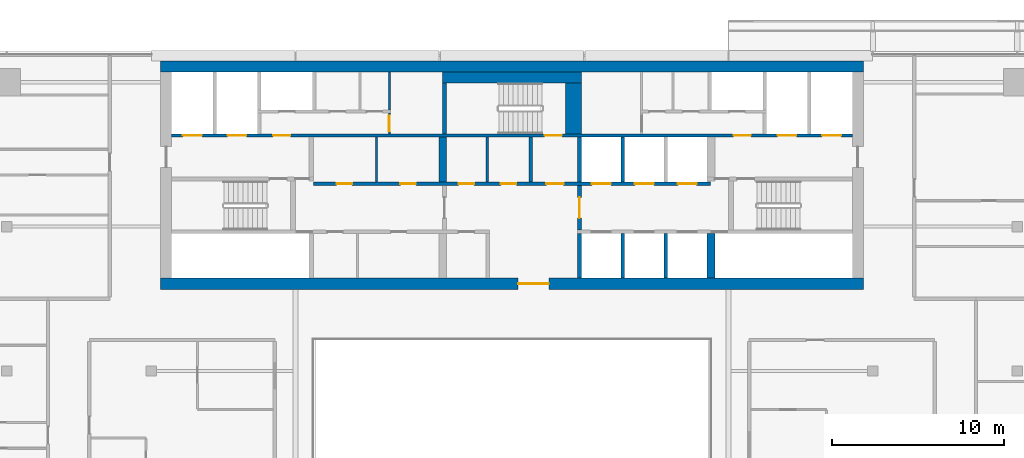
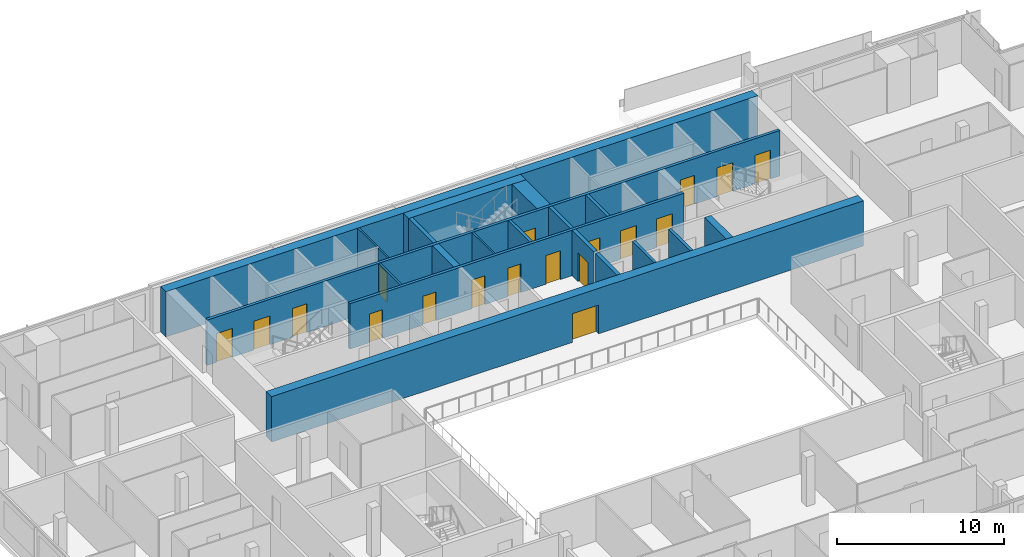
# One storey, part 21 of 29: 20 walls, 18 doors, 18 openings.
"""IFC4 building model written with IfcOpenShell, lengths in metres."""

from ifc_helpers import new_model, si_unit, direction, frame, frame_2d, origin, place, context, subcontext, project, spatial, rectangle, extrude, material, layer, layer_set, type_object, element, fill, save


model = new_model("IFC4")

# Units and contexts
model_context = context("Model", 3, precision=1e-05, world=origin(), true_north=direction((0.0, 1.0)))
body_context = subcontext(model_context, "Body", "Model", "MODEL_VIEW")
ifc_project = project(units=[si_unit("LENGTHUNIT", "METRE"), si_unit("AREAUNIT", "SQUARE_METRE"), si_unit("VOLUMEUNIT", "CUBIC_METRE"), si_unit("PLANEANGLEUNIT", "RADIAN"), si_unit("MASSUNIT", "GRAM", prefix="KILO")], contexts=[model_context])

# Site, building, storey
site_placement = place(None, origin())
site = spatial("IfcSite", under=ifc_project, at=site_placement, CompositionType="ELEMENT")
building_placement = place(site_placement, origin())
building = spatial("IfcBuilding", under=site, at=building_placement, Name="Saffron Gate Tower", CompositionType="ELEMENT")
storey_placement = place(building_placement, frame((0.0, 0.0, 227.10009765625)))
storey = spatial("IfcBuildingStorey", under=building, at=storey_placement, Name="L55", CompositionType="ELEMENT", Elevation=227.10009765625)

# Walls
ifc_material_1 = material(Name="Gypsum board partition on steel studs", Category="steel")
ifc_layer_1 = layer(ifc_material_1, 0.199951171875)
ifc_layer_set_1 = layer_set([ifc_layer_1], Name="CW10 Core partition 200")
wall_type_1 = type_object("IfcWallType", Name="CW10 Core partition 200", PredefinedType="PARTITIONING", material=ifc_layer_set_1)
wall_1_placement = place(storey_placement, frame((88.699951171875, 68.0, 0.0), z_axis=(0.0, 0.0, 1.0), x_axis=(0.0, 1.0, 0.0)))
element("IfcWall", 1, at=wall_1_placement, inside=storey, type_object=wall_type_1, Name="Wall CW10-L55-23", PredefinedType="PARTITIONING", context=body_context, shape_type="SweptSolid", body=[
    extrude(rectangle(XDim=2.60009765625, YDim=0.199951171875, at=frame_2d((1.300048828125, 0.0))), origin(), (0.0, 0.0, 1.0), 3.31982421875),
])
ifc_material_2 = material(Name="Concrete C60", Category="concrete")
ifc_layer_2 = layer(ifc_material_2, 0.25)
ifc_layer_set_2 = layer_set([ifc_layer_2], Name="CW14 RC core wall 250 C60")
wall_type_2 = type_object("IfcWallType", Name="CW14 RC core wall 250 C60", PredefinedType="SOLIDWALL", material=ifc_layer_set_2)
wall_2_placement = place(storey_placement, frame((91.52490234375, 62.39990234375, 0.0), z_axis=(0.0, 0.0, 1.0), x_axis=(0.0, 1.0, 0.0)))
element("IfcWall", 2, at=wall_2_placement, inside=storey, type_object=wall_type_2, Name="Wall CW14-L55-9", PredefinedType="SOLIDWALL", context=body_context, shape_type="SweptSolid", body=[
    extrude(rectangle(XDim=2.60009765625, YDim=0.25, at=frame_2d((1.300048828125, 0.0))), origin(), (0.0, 0.0, 1.0), 3.31982421875),
])

# Wall, opening, door
wall_3_placement = place(storey_placement, frame((91.52490234375, 65.199951171875, 0.0), z_axis=(0.0, 0.0, 1.0), x_axis=(0.0, 1.0, 0.0)))
wall_3 = element("IfcWall", 3, at=wall_3_placement, inside=storey, type_object=wall_type_2, Name="Wall CW14-L55-17", PredefinedType="SOLIDWALL", context=body_context, shape_type="SweptSolid", body=[
    extrude(rectangle(XDim=2.60009765625, YDim=0.25, at=frame_2d((1.300048828125, 0.0))), origin(), (0.0, 0.0, 1.0), 3.31982421875),
])
opening_1_placement = place(wall_3_placement, frame((0.699951171875, 0.0, 0.0)))
opening_1 = element("IfcOpeningElement", 4, at=opening_1_placement, cuts=wall_3, Name="Opening CR-01", PredefinedType="OPENING", context=body_context, shape_type="SweptSolid", body=[
    extrude(rectangle(XDim=1.199951171875, YDim=2.10009765625, at=frame_2d((0.60009765625, 1.050048828125))), frame((0.0, 0.135009765625, 0.0), z_axis=(0.0, -1.0, 0.0), x_axis=(1.0, 0.0, 0.0)), (0.0, 0.0, 1.0), 0.27001953125),
])
ifc_material_3 = material(Name="Steel fire door set", Category="steel")
door_type_1 = type_object("IfcDoorType", Name="CD3 Lobby door 1200x2100 EI 120", OperationType="NOTDEFINED", PredefinedType="DOOR", material=ifc_material_3)
door_1_placement = place(opening_1_placement, origin())
door_1 = element("IfcDoor", 5, at=door_1_placement, inside=storey, type_object=door_type_1, Name="DOOR CR-01", OperationType="SINGLE_SWING_RIGHT", OverallHeight=2.10009765625, OverallWidth=1.199951171875, PredefinedType="DOOR", context=body_context, shape_type="SweptSolid", body=[
    extrude(rectangle(XDim=1.199951171875, YDim=2.10009765625, at=frame_2d((0.60009765625, 1.050048828125))), frame((0.0, 0.02490234375, 0.0), z_axis=(0.0, -1.0, 0.0), x_axis=(1.0, 0.0, 0.0)), (0.0, 0.0, 1.0), 0.050048828125),
])
fill(opening_1, door_1)

# Walls
wall_4_placement = place(storey_placement, frame((91.52490234375, 68.0, 0.0), z_axis=(0.0, 0.0, 1.0), x_axis=(0.0, 1.0, 0.0)))
element("IfcWall", 6, at=wall_4_placement, inside=storey, type_object=wall_type_2, Name="Wall CW14-L55-24", PredefinedType="SOLIDWALL", context=body_context, shape_type="SweptSolid", body=[
    extrude(rectangle(XDim=2.60009765625, YDim=0.25, at=frame_2d((1.300048828125, 0.0))), origin(), (0.0, 0.0, 1.0), 3.31982421875),
])
wall_5_placement = place(storey_placement, frame((83.675048828125, 70.800048828125, 0.0), z_axis=(0.0, 0.0, 1.0), x_axis=(0.0, 1.0, 0.0)))
element("IfcWall", 7, at=wall_5_placement, inside=storey, type_object=wall_type_2, Name="Wall CW14-L55-36", PredefinedType="SOLIDWALL", context=body_context, shape_type="SweptSolid", body=[
    extrude(rectangle(XDim=2.949951171875, YDim=0.25, at=frame_2d((1.47509765625, 0.0))), origin(), (0.0, 0.0, 1.0), 3.31982421875),
])
ifc_layer_3 = layer(ifc_material_2, 0.199951171875)
ifc_layer_set_3 = layer_set([ifc_layer_3], Name="CW15 RC core wall 200 C60")
wall_type_3 = type_object("IfcWallType", Name="CW15 RC core wall 200 C60", PredefinedType="SOLIDWALL", material=ifc_layer_set_3)
for number, where, z_axis, x_axis, name in (
    (8, (94.050048828125, 62.39990234375, 0.0), (0.0, 0.0, 1.0), (0.0, 1.0, 0.0), "Wall CW15-L55-10"),
    (9, (96.550048828125, 62.39990234375, 0.0), (0.0, 0.0, 1.0), (0.0, 1.0, 0.0), "Wall CW15-L55-11"),
):
    element("IfcWall", number, at=place(storey_placement, frame(where, z_axis=z_axis, x_axis=x_axis)), inside=storey, type_object=wall_type_3, Name=name, PredefinedType="SOLIDWALL", context=body_context, shape_type="SweptSolid", body=[
        extrude(rectangle(XDim=2.60009765625, YDim=0.199951171875, at=frame_2d((1.300048828125, 0.0))), origin(), (0.0, 0.0, 1.0), 3.31982421875),
    ])

# Wall, openings, doors
wall_6_placement = place(storey_placement, frame((76.050048828125, 67.89990234375, 0.0), z_axis=(0.0, 0.0, 1.0), x_axis=(1.0, 0.0, 0.0)))
wall_6 = element("IfcWall", 10, at=wall_6_placement, inside=storey, type_object=wall_type_3, Name="Wall CW15-L55-19", PredefinedType="SOLIDWALL", context=body_context, shape_type="SweptSolid", body=[
    extrude(rectangle(XDim=23.099853515625, YDim=0.199951171875, at=frame_2d((11.5498046875, 0.0))), origin(), (0.0, 0.0, 1.0), 3.31982421875),
])
opening_2_placement = place(wall_6_placement, frame((1.35009765625, 0.0, 0.0)))
opening_2 = element("IfcOpeningElement", 11, at=opening_2_placement, cuts=wall_6, Name="Opening CR-61", PredefinedType="OPENING", context=body_context, shape_type="SweptSolid", body=[
    extrude(rectangle(XDim=0.89990234375, YDim=2.10009765625, at=frame_2d((0.449951171875, 1.050048828125))), frame((0.0, 0.10986328125, 0.0), z_axis=(0.0, -1.0, 0.0), x_axis=(1.0, 0.0, 0.0)), (0.0, 0.0, 1.0), 0.219970703125),
])
opening_3_placement = place(wall_6_placement, frame((5.06005859375, 0.0, 0.0)))
opening_3 = element("IfcOpeningElement", 12, at=opening_3_placement, cuts=wall_6, Name="Opening CR-62", PredefinedType="OPENING", context=body_context, shape_type="SweptSolid", body=[
    extrude(rectangle(XDim=0.89990234375, YDim=2.10009765625, at=frame_2d((0.449951171875, 1.050048828125))), frame((0.0, 0.10986328125, 0.0), z_axis=(0.0, -1.0, 0.0), x_axis=(1.0, 0.0, 0.0)), (0.0, 0.0, 1.0), 0.219970703125),
])
opening_4_placement = place(wall_6_placement, frame((8.449951171875, 0.0, 0.0)))
opening_4 = element("IfcOpeningElement", 13, at=opening_4_placement, cuts=wall_6, Name="Opening CR-67", PredefinedType="OPENING", context=body_context, shape_type="SweptSolid", body=[
    extrude(rectangle(XDim=0.89990234375, YDim=2.10009765625, at=frame_2d((0.449951171875, 1.050048828125))), frame((0.0, 0.10986328125, 0.0), z_axis=(0.0, -1.0, 0.0), x_axis=(1.0, 0.0, 0.0)), (0.0, 0.0, 1.0), 0.219970703125),
])
opening_5_placement = place(wall_6_placement, frame((10.909912109375, 0.0, 0.0)))
opening_5 = element("IfcOpeningElement", 14, at=opening_5_placement, cuts=wall_6, Name="Opening CR-68", PredefinedType="OPENING", context=body_context, shape_type="SweptSolid", body=[
    extrude(rectangle(XDim=0.89990234375, YDim=2.10009765625, at=frame_2d((0.449951171875, 1.050048828125))), frame((0.0, 0.10986328125, 0.0), z_axis=(0.0, -1.0, 0.0), x_axis=(1.0, 0.0, 0.0)), (0.0, 0.0, 1.0), 0.219970703125),
])
opening_6_placement = place(wall_6_placement, frame((13.550048828125, 0.0, 0.0)))
opening_6 = element("IfcOpeningElement", 15, at=opening_6_placement, cuts=wall_6, Name="Opening CR-02", PredefinedType="OPENING", context=body_context, shape_type="SweptSolid", body=[
    extrude(rectangle(XDim=1.0, YDim=2.10009765625, at=frame_2d((0.5, 1.050048828125))), frame((0.0, 0.10986328125, 0.0), z_axis=(0.0, -1.0, 0.0), x_axis=(1.0, 0.0, 0.0)), (0.0, 0.0, 1.0), 0.219970703125),
])
opening_7_placement = place(wall_6_placement, frame((16.199951171875, 0.0, 0.0)))
opening_7 = element("IfcOpeningElement", 16, at=opening_7_placement, cuts=wall_6, Name="Opening LD-HR4", PredefinedType="OPENING", context=body_context, shape_type="SweptSolid", body=[
    extrude(rectangle(XDim=1.10009765625, YDim=2.10009765625, at=frame_2d((0.550048828125, 1.050048828125))), frame((0.0, 0.10986328125, 0.0), z_axis=(0.0, -1.0, 0.0), x_axis=(1.0, 0.0, 0.0)), (0.0, 0.0, 1.0), 0.219970703125),
])
opening_8_placement = place(wall_6_placement, frame((18.699951171875, 0.0, 0.0)))
opening_8 = element("IfcOpeningElement", 17, at=opening_8_placement, cuts=wall_6, Name="Opening LD-HR5", PredefinedType="OPENING", context=body_context, shape_type="SweptSolid", body=[
    extrude(rectangle(XDim=1.10009765625, YDim=2.10009765625, at=frame_2d((0.550048828125, 1.050048828125))), frame((0.0, 0.10986328125, 0.0), z_axis=(0.0, -1.0, 0.0), x_axis=(1.0, 0.0, 0.0)), (0.0, 0.0, 1.0), 0.219970703125),
])
opening_9_placement = place(wall_6_placement, frame((21.199951171875, 0.0, 0.0)))
opening_9 = element("IfcOpeningElement", 18, at=opening_9_placement, cuts=wall_6, Name="Opening LD-HR6", PredefinedType="OPENING", context=body_context, shape_type="SweptSolid", body=[
    extrude(rectangle(XDim=1.10009765625, YDim=2.10009765625, at=frame_2d((0.550048828125, 1.050048828125))), frame((0.0, 0.10986328125, 0.0), z_axis=(0.0, -1.0, 0.0), x_axis=(1.0, 0.0, 0.0)), (0.0, 0.0, 1.0), 0.219970703125),
])
door_type_2 = type_object("IfcDoorType", Name="CD4 Lobby door 1000x2100 EI 120", OperationType="NOTDEFINED", PredefinedType="DOOR", material=ifc_material_3)
door_2_placement = place(opening_6_placement, origin())
door_2 = element("IfcDoor", 19, at=door_2_placement, inside=storey, type_object=door_type_2, Name="DOOR CR-02", OperationType="SINGLE_SWING_LEFT", OverallHeight=2.10009765625, OverallWidth=1.0, PredefinedType="DOOR", context=body_context, shape_type="SweptSolid", body=[
    extrude(rectangle(XDim=1.0, YDim=2.10009765625, at=frame_2d((0.5, 1.050048828125))), frame((0.0, 0.02490234375, 0.0), z_axis=(0.0, -1.0, 0.0), x_axis=(1.0, 0.0, 0.0)), (0.0, 0.0, 1.0), 0.050048828125),
])
fill(opening_6, door_2)
door_type_3 = type_object("IfcDoorType", Name="CD9 Room door 900x2100 EI 60", OperationType="NOTDEFINED", PredefinedType="DOOR", material=ifc_material_3)
door_3_placement = place(opening_2_placement, origin())
door_3 = element("IfcDoor", 20, at=door_3_placement, inside=storey, type_object=door_type_3, Name="DOOR CR-61", OperationType="SINGLE_SWING_LEFT", OverallHeight=2.10009765625, OverallWidth=0.89990234375, PredefinedType="DOOR", context=body_context, shape_type="SweptSolid", body=[
    extrude(rectangle(XDim=0.89990234375, YDim=2.10009765625, at=frame_2d((0.449951171875, 1.050048828125))), frame((0.0, 0.02490234375, 0.0), z_axis=(0.0, -1.0, 0.0), x_axis=(1.0, 0.0, 0.0)), (0.0, 0.0, 1.0), 0.050048828125),
])
fill(opening_2, door_3)
door_4_placement = place(opening_3_placement, origin())
door_4 = element("IfcDoor", 21, at=door_4_placement, inside=storey, type_object=door_type_3, Name="DOOR CR-62", OperationType="SINGLE_SWING_LEFT", OverallHeight=2.10009765625, OverallWidth=0.89990234375, PredefinedType="DOOR", context=body_context, shape_type="SweptSolid", body=[
    extrude(rectangle(XDim=0.89990234375, YDim=2.10009765625, at=frame_2d((0.449951171875, 1.050048828125))), frame((0.0, 0.02490234375, 0.0), z_axis=(0.0, -1.0, 0.0), x_axis=(1.0, 0.0, 0.0)), (0.0, 0.0, 1.0), 0.050048828125),
])
fill(opening_3, door_4)
door_5_placement = place(opening_4_placement, origin())
door_5 = element("IfcDoor", 22, at=door_5_placement, inside=storey, type_object=door_type_3, Name="DOOR CR-67", OperationType="SINGLE_SWING_LEFT", OverallHeight=2.10009765625, OverallWidth=0.89990234375, PredefinedType="DOOR", context=body_context, shape_type="SweptSolid", body=[
    extrude(rectangle(XDim=0.89990234375, YDim=2.10009765625, at=frame_2d((0.449951171875, 1.050048828125))), frame((0.0, 0.02490234375, 0.0), z_axis=(0.0, -1.0, 0.0), x_axis=(1.0, 0.0, 0.0)), (0.0, 0.0, 1.0), 0.050048828125),
])
fill(opening_4, door_5)
door_6_placement = place(opening_5_placement, origin())
door_6 = element("IfcDoor", 23, at=door_6_placement, inside=storey, type_object=door_type_3, Name="DOOR CR-68", OperationType="SINGLE_SWING_LEFT", OverallHeight=2.10009765625, OverallWidth=0.89990234375, PredefinedType="DOOR", context=body_context, shape_type="SweptSolid", body=[
    extrude(rectangle(XDim=0.89990234375, YDim=2.10009765625, at=frame_2d((0.449951171875, 1.050048828125))), frame((0.0, 0.02490234375, 0.0), z_axis=(0.0, -1.0, 0.0), x_axis=(1.0, 0.0, 0.0)), (0.0, 0.0, 1.0), 0.050048828125),
])
fill(opening_5, door_6)
ifc_material_4 = material(Name="Stainless steel landing door", Category="steel")
door_type_4 = type_object("IfcDoorType", Name="LD Lift landing door 1100x2100 EI 120", OperationType="SLIDING_TO_LEFT", PredefinedType="DOOR", material=ifc_material_4)
door_7_placement = place(opening_7_placement, origin())
door_7 = element("IfcDoor", 24, at=door_7_placement, inside=storey, type_object=door_type_4, Name="LANDING DOOR LD-HR4", OperationType="SLIDING_TO_RIGHT", OverallHeight=2.10009765625, OverallWidth=1.10009765625, PredefinedType="DOOR", context=body_context, shape_type="SweptSolid", body=[
    extrude(rectangle(XDim=1.10009765625, YDim=2.10009765625, at=frame_2d((0.550048828125, 1.050048828125))), frame((0.0, 0.02490234375, 0.0), z_axis=(0.0, -1.0, 0.0), x_axis=(1.0, 0.0, 0.0)), (0.0, 0.0, 1.0), 0.050048828125),
])
fill(opening_7, door_7)
door_8_placement = place(opening_8_placement, origin())
door_8 = element("IfcDoor", 25, at=door_8_placement, inside=storey, type_object=door_type_4, Name="LANDING DOOR LD-HR5", OperationType="SLIDING_TO_RIGHT", OverallHeight=2.10009765625, OverallWidth=1.10009765625, PredefinedType="DOOR", context=body_context, shape_type="SweptSolid", body=[
    extrude(rectangle(XDim=1.10009765625, YDim=2.10009765625, at=frame_2d((0.550048828125, 1.050048828125))), frame((0.0, 0.02490234375, 0.0), z_axis=(0.0, -1.0, 0.0), x_axis=(1.0, 0.0, 0.0)), (0.0, 0.0, 1.0), 0.050048828125),
])
fill(opening_8, door_8)
door_9_placement = place(opening_9_placement, origin())
door_9 = element("IfcDoor", 26, at=door_9_placement, inside=storey, type_object=door_type_4, Name="LANDING DOOR LD-HR6", OperationType="SLIDING_TO_RIGHT", OverallHeight=2.10009765625, OverallWidth=1.10009765625, PredefinedType="DOOR", context=body_context, shape_type="SweptSolid", body=[
    extrude(rectangle(XDim=1.10009765625, YDim=2.10009765625, at=frame_2d((0.550048828125, 1.050048828125))), frame((0.0, 0.02490234375, 0.0), z_axis=(0.0, -1.0, 0.0), x_axis=(1.0, 0.0, 0.0)), (0.0, 0.0, 1.0), 0.050048828125),
])
fill(opening_9, door_9)

# Wall
wall_7_placement = place(storey_placement, frame((94.050048828125, 68.0, 0.0), z_axis=(0.0, 0.0, 1.0), x_axis=(0.0, 1.0, 0.0)))
element("IfcWall", 27, at=wall_7_placement, inside=storey, type_object=wall_type_3, Name="Wall CW15-L55-25", PredefinedType="SOLIDWALL", context=body_context, shape_type="SweptSolid", body=[
    extrude(rectangle(XDim=2.60009765625, YDim=0.199951171875, at=frame_2d((1.300048828125, 0.0))), origin(), (0.0, 0.0, 1.0), 3.31982421875),
])

# Wall, openings, doors
wall_8_placement = place(storey_placement, frame((67.800048828125, 70.699951171875, 0.0), z_axis=(0.0, 0.0, 1.0), x_axis=(1.0, 0.0, 0.0)))
wall_8 = element("IfcWall", 28, at=wall_8_placement, inside=storey, type_object=wall_type_3, Name="Wall CW15-L55-32", PredefinedType="SOLIDWALL", context=body_context, shape_type="SweptSolid", body=[
    extrude(rectangle(XDim=39.599853515625, YDim=0.199951171875, at=frame_2d((19.7998046875, 0.0))), origin(), (0.0, 0.0, 1.0), 3.31982421875),
])
opening_10_placement = place(wall_8_placement, frame((0.64990234375, 0.0, 0.0)))
opening_10 = element("IfcOpeningElement", 29, at=opening_10_placement, cuts=wall_8, Name="Opening LD-FF1", PredefinedType="OPENING", context=body_context, shape_type="SweptSolid", body=[
    extrude(rectangle(XDim=1.10009765625, YDim=2.10009765625, at=frame_2d((0.550048828125, 1.050048828125))), frame((0.0, 0.10986328125, 0.0), z_axis=(0.0, -1.0, 0.0), x_axis=(1.0, 0.0, 0.0)), (0.0, 0.0, 1.0), 0.219970703125),
])
opening_11_placement = place(wall_8_placement, frame((3.25, 0.0, 0.0)))
opening_11 = element("IfcOpeningElement", 30, at=opening_11_placement, cuts=wall_8, Name="Opening LD-SV1", PredefinedType="OPENING", context=body_context, shape_type="SweptSolid", body=[
    extrude(rectangle(XDim=1.10009765625, YDim=2.10009765625, at=frame_2d((0.550048828125, 1.050048828125))), frame((0.0, 0.10986328125, 0.0), z_axis=(0.0, -1.0, 0.0), x_axis=(1.0, 0.0, 0.0)), (0.0, 0.0, 1.0), 0.219970703125),
])
opening_12_placement = place(wall_8_placement, frame((5.89990234375, 0.0, 0.0)))
opening_12 = element("IfcOpeningElement", 31, at=opening_12_placement, cuts=wall_8, Name="Opening CR-03", PredefinedType="OPENING", context=body_context, shape_type="SweptSolid", body=[
    extrude(rectangle(XDim=1.0, YDim=2.10009765625, at=frame_2d((0.5, 1.050048828125))), frame((0.0, 0.10986328125, 0.0), z_axis=(0.0, -1.0, 0.0), x_axis=(1.0, 0.0, 0.0)), (0.0, 0.0, 1.0), 0.219970703125),
])
opening_13_placement = place(wall_8_placement, frame((21.699951171875, 0.0, 0.0)))
opening_13 = element("IfcOpeningElement", 32, at=opening_13_placement, cuts=wall_8, Name="Opening CR-17", PredefinedType="OPENING", context=body_context, shape_type="SweptSolid", body=[
    extrude(rectangle(XDim=1.0, YDim=2.10009765625, at=frame_2d((0.5, 1.050048828125))), frame((0.0, 0.10986328125, 0.0), z_axis=(0.0, -1.0, 0.0), x_axis=(1.0, 0.0, 0.0)), (0.0, 0.0, 1.0), 0.219970703125),
])
opening_14_placement = place(wall_8_placement, frame((32.699951171875, 0.0, 0.0)))
opening_14 = element("IfcOpeningElement", 33, at=opening_14_placement, cuts=wall_8, Name="Opening CR-04", PredefinedType="OPENING", context=body_context, shape_type="SweptSolid", body=[
    extrude(rectangle(XDim=1.0, YDim=2.10009765625, at=frame_2d((0.5, 1.050048828125))), frame((0.0, 0.10986328125, 0.0), z_axis=(0.0, -1.0, 0.0), x_axis=(1.0, 0.0, 0.0)), (0.0, 0.0, 1.0), 0.219970703125),
])
opening_15_placement = place(wall_8_placement, frame((35.25, 0.0, 0.0)))
opening_15 = element("IfcOpeningElement", 34, at=opening_15_placement, cuts=wall_8, Name="Opening LD-SV2", PredefinedType="OPENING", context=body_context, shape_type="SweptSolid", body=[
    extrude(rectangle(XDim=1.10009765625, YDim=2.10009765625, at=frame_2d((0.550048828125, 1.050048828125))), frame((0.0, 0.10986328125, 0.0), z_axis=(0.0, -1.0, 0.0), x_axis=(1.0, 0.0, 0.0)), (0.0, 0.0, 1.0), 0.219970703125),
])
opening_16_placement = place(wall_8_placement, frame((37.85009765625, 0.0, 0.0)))
opening_16 = element("IfcOpeningElement", 35, at=opening_16_placement, cuts=wall_8, Name="Opening LD-FF2", PredefinedType="OPENING", context=body_context, shape_type="SweptSolid", body=[
    extrude(rectangle(XDim=1.10009765625, YDim=2.10009765625, at=frame_2d((0.550048828125, 1.050048828125))), frame((0.0, 0.10986328125, 0.0), z_axis=(0.0, -1.0, 0.0), x_axis=(1.0, 0.0, 0.0)), (0.0, 0.0, 1.0), 0.219970703125),
])
door_10_placement = place(opening_12_placement, origin())
door_10 = element("IfcDoor", 36, at=door_10_placement, inside=storey, type_object=door_type_2, Name="DOOR CR-03", OperationType="SINGLE_SWING_LEFT", OverallHeight=2.10009765625, OverallWidth=1.0, PredefinedType="DOOR", context=body_context, shape_type="SweptSolid", body=[
    extrude(rectangle(XDim=1.0, YDim=2.10009765625, at=frame_2d((0.5, 1.050048828125))), frame((0.0, 0.02490234375, 0.0), z_axis=(0.0, -1.0, 0.0), x_axis=(1.0, 0.0, 0.0)), (0.0, 0.0, 1.0), 0.050048828125),
])
fill(opening_12, door_10)
door_11_placement = place(opening_14_placement, origin())
door_11 = element("IfcDoor", 37, at=door_11_placement, inside=storey, type_object=door_type_2, Name="DOOR CR-04", OperationType="SINGLE_SWING_RIGHT", OverallHeight=2.10009765625, OverallWidth=1.0, PredefinedType="DOOR", context=body_context, shape_type="SweptSolid", body=[
    extrude(rectangle(XDim=1.0, YDim=2.10009765625, at=frame_2d((0.5, 1.050048828125))), frame((0.0, 0.02490234375, 0.0), z_axis=(0.0, -1.0, 0.0), x_axis=(1.0, 0.0, 0.0)), (0.0, 0.0, 1.0), 0.050048828125),
])
fill(opening_14, door_11)
door_type_5 = type_object("IfcDoorType", Name="CD5 Stair door 1000x2100 EI 120", OperationType="NOTDEFINED", PredefinedType="DOOR", material=ifc_material_3)
door_12_placement = place(opening_13_placement, origin())
door_12 = element("IfcDoor", 38, at=door_12_placement, inside=storey, type_object=door_type_5, Name="DOOR CR-17", OperationType="SINGLE_SWING_RIGHT", OverallHeight=2.10009765625, OverallWidth=1.0, PredefinedType="DOOR", context=body_context, shape_type="SweptSolid", body=[
    extrude(rectangle(XDim=1.0, YDim=2.10009765625, at=frame_2d((0.5, 1.050048828125))), frame((0.0, 0.02490234375, 0.0), z_axis=(0.0, -1.0, 0.0), x_axis=(1.0, 0.0, 0.0)), (0.0, 0.0, 1.0), 0.050048828125),
])
fill(opening_13, door_12)
door_13_placement = place(opening_10_placement, origin())
door_13 = element("IfcDoor", 39, at=door_13_placement, inside=storey, type_object=door_type_4, Name="LANDING DOOR LD-FF1", OperationType="SLIDING_TO_RIGHT", OverallHeight=2.10009765625, OverallWidth=1.10009765625, PredefinedType="DOOR", context=body_context, shape_type="SweptSolid", body=[
    extrude(rectangle(XDim=1.10009765625, YDim=2.10009765625, at=frame_2d((0.550048828125, 1.050048828125))), frame((0.0, 0.02490234375, 0.0), z_axis=(0.0, -1.0, 0.0), x_axis=(1.0, 0.0, 0.0)), (0.0, 0.0, 1.0), 0.050048828125),
])
fill(opening_10, door_13)
door_14_placement = place(opening_11_placement, origin())
door_14 = element("IfcDoor", 40, at=door_14_placement, inside=storey, type_object=door_type_4, Name="LANDING DOOR LD-SV1", OperationType="SLIDING_TO_RIGHT", OverallHeight=2.10009765625, OverallWidth=1.10009765625, PredefinedType="DOOR", context=body_context, shape_type="SweptSolid", body=[
    extrude(rectangle(XDim=1.10009765625, YDim=2.10009765625, at=frame_2d((0.550048828125, 1.050048828125))), frame((0.0, 0.02490234375, 0.0), z_axis=(0.0, -1.0, 0.0), x_axis=(1.0, 0.0, 0.0)), (0.0, 0.0, 1.0), 0.050048828125),
])
fill(opening_11, door_14)
door_15_placement = place(opening_15_placement, origin())
door_15 = element("IfcDoor", 41, at=door_15_placement, inside=storey, type_object=door_type_4, Name="LANDING DOOR LD-SV2", OperationType="SLIDING_TO_RIGHT", OverallHeight=2.10009765625, OverallWidth=1.10009765625, PredefinedType="DOOR", context=body_context, shape_type="SweptSolid", body=[
    extrude(rectangle(XDim=1.10009765625, YDim=2.10009765625, at=frame_2d((0.550048828125, 1.050048828125))), frame((0.0, 0.02490234375, 0.0), z_axis=(0.0, -1.0, 0.0), x_axis=(1.0, 0.0, 0.0)), (0.0, 0.0, 1.0), 0.050048828125),
])
fill(opening_15, door_15)
door_16_placement = place(opening_16_placement, origin())
door_16 = element("IfcDoor", 42, at=door_16_placement, inside=storey, type_object=door_type_4, Name="LANDING DOOR LD-FF2", OperationType="SLIDING_TO_RIGHT", OverallHeight=2.10009765625, OverallWidth=1.10009765625, PredefinedType="DOOR", context=body_context, shape_type="SweptSolid", body=[
    extrude(rectangle(XDim=1.10009765625, YDim=2.10009765625, at=frame_2d((0.550048828125, 1.050048828125))), frame((0.0, 0.02490234375, 0.0), z_axis=(0.0, -1.0, 0.0), x_axis=(1.0, 0.0, 0.0)), (0.0, 0.0, 1.0), 0.050048828125),
])
fill(opening_16, door_16)

# Walls
ifc_layer_4 = layer(ifc_material_2, 0.449951171875)
ifc_layer_set_4 = layer_set([ifc_layer_4], Name="CW16 RC core wall 450 C60")
wall_type_4 = type_object("IfcWallType", Name="CW16 RC core wall 450 C60", PredefinedType="SOLIDWALL", material=ifc_layer_set_4)
for number, where, z_axis, x_axis, name in (
    (43, (99.175048828125, 62.39990234375, 0.0), (0.0, 0.0, 1.0), (0.0, 1.0, 0.0), "Wall CW16-L55-12"),
    (44, (83.574951171875, 68.0, 0.0), (0.0, 0.0, 1.0), (0.0, 1.0, 0.0), "Wall CW16-L55-21"),
):
    element("IfcWall", number, at=place(storey_placement, frame(where, z_axis=z_axis, x_axis=x_axis)), inside=storey, type_object=wall_type_4, Name=name, PredefinedType="SOLIDWALL", context=body_context, shape_type="SweptSolid", body=[
        extrude(rectangle(XDim=2.60009765625, YDim=0.449951171875, at=frame_2d((1.300048828125, 0.0))), origin(), (0.0, 0.0, 1.0), 3.31982421875),
    ])
ifc_layer_5 = layer(ifc_material_2, 0.949951171875)
ifc_layer_set_5 = layer_set([ifc_layer_5], Name="CW19 RC core wall 950 C60")
wall_type_5 = type_object("IfcWallType", Name="CW19 RC core wall 950 C60", PredefinedType="SOLIDWALL", material=ifc_layer_set_5)
wall_9_placement = place(storey_placement, frame((91.175048828125, 70.800048828125, 0.0), z_axis=(0.0, 0.0, 1.0), x_axis=(0.0, 1.0, 0.0)))
element("IfcWall", 45, at=wall_9_placement, inside=storey, type_object=wall_type_5, Name="Wall CW19-L55-37", PredefinedType="SOLIDWALL", context=body_context, shape_type="SweptSolid", body=[
    extrude(rectangle(XDim=2.949951171875, YDim=0.949951171875, at=frame_2d((1.47509765625, 0.0))), origin(), (0.0, 0.0, 1.0), 3.31982421875),
])

# Wall, opening, door
ifc_layer_6 = layer(ifc_material_2, 0.64990234375)
ifc_layer_set_6 = layer_set([ifc_layer_6], Name="CW20 RC core wall 650 C60")
wall_type_6 = type_object("IfcWallType", Name="CW20 RC core wall 650 C60", PredefinedType="SOLIDWALL", material=ifc_layer_set_6)
wall_10_placement = place(storey_placement, frame((67.14990234375, 62.074951171875, 0.0), z_axis=(0.0, 0.0, 1.0), x_axis=(1.0, 0.0, 0.0)))
wall_10 = element("IfcWall", 46, at=wall_10_placement, inside=storey, type_object=wall_type_6, Name="Wall CW20-L55-1", PredefinedType="SOLIDWALL", context=body_context, shape_type="SweptSolid", body=[
    extrude(rectangle(XDim=40.900146484375, YDim=0.64990234375, at=frame_2d((20.4501953125, 0.0))), origin(), (0.0, 0.0, 1.0), 3.31982421875),
])
opening_17_placement = place(wall_10_placement, frame((20.800048828125, 0.0, 0.0)))
opening_17 = element("IfcOpeningElement", 47, at=opening_17_placement, cuts=wall_10, Name="Opening CR-09", PredefinedType="OPENING", context=body_context, shape_type="SweptSolid", body=[
    extrude(rectangle(XDim=1.800048828125, YDim=2.10009765625, at=frame_2d((0.89990234375, 1.050048828125))), frame((0.0, 0.3349609375, 0.0), z_axis=(0.0, -1.0, 0.0), x_axis=(1.0, 0.0, 0.0)), (0.0, 0.0, 1.0), 0.669921875),
])
door_type_6 = type_object("IfcDoorType", Name="CD1 Core entrance door 1800x2100 EI 120", OperationType="NOTDEFINED", PredefinedType="DOOR", material=ifc_material_3)
door_17_placement = place(opening_17_placement, origin())
door_17 = element("IfcDoor", 48, at=door_17_placement, inside=storey, type_object=door_type_6, Name="DOOR CR-09", OperationType="DOUBLE_DOOR_SINGLE_SWING", OverallHeight=2.10009765625, OverallWidth=1.800048828125, PredefinedType="DOOR", context=body_context, shape_type="SweptSolid", body=[
    extrude(rectangle(XDim=1.800048828125, YDim=2.10009765625, at=frame_2d((0.89990234375, 1.050048828125))), frame((0.0, 0.02490234375, 0.0), z_axis=(0.0, -1.0, 0.0), x_axis=(1.0, 0.0, 0.0)), (0.0, 0.0, 1.0), 0.050048828125),
])
fill(opening_17, door_17)

# Walls
wall_11_placement = place(storey_placement, frame((67.14990234375, 74.72509765625, 0.0), z_axis=(0.0, 0.0, 1.0), x_axis=(1.0, 0.0, 0.0)))
element("IfcWall", 49, at=wall_11_placement, inside=storey, type_object=wall_type_6, Name="Wall CW20-L55-2", PredefinedType="SOLIDWALL", context=body_context, shape_type="SweptSolid", body=[
    extrude(rectangle(XDim=40.900146484375, YDim=0.64990234375, at=frame_2d((20.4501953125, 0.0))), origin(), (0.0, 0.0, 1.0), 3.31982421875),
])
wall_12_placement = place(storey_placement, frame((83.550048828125, 74.074951171875, 0.0), z_axis=(0.0, 0.0, 1.0), x_axis=(1.0, 0.0, 0.0)))
element("IfcWall", 50, at=wall_12_placement, inside=storey, type_object=wall_type_6, Name="Wall CW20-L55-51", PredefinedType="SOLIDWALL", context=body_context, shape_type="SweptSolid", body=[
    extrude(rectangle(XDim=8.099853515625, YDim=0.64990234375, at=frame_2d((4.0498046875, 0.0))), origin(), (0.0, 0.0, 1.0), 3.31982421875),
])
ifc_layer_7 = layer(ifc_material_1, 0.1201171875)
ifc_layer_set_7 = layer_set([ifc_layer_7], Name="CW8 Core partition 120")
wall_type_7 = type_object("IfcWallType", Name="CW8 Core partition 120", PredefinedType="PARTITIONING", material=ifc_layer_set_7)
for number, where, z_axis, x_axis, name in (
    (51, (79.7099609375, 68.0, 0.0), (0.0, 0.0, 1.0), (0.0, 1.0, 0.0), "Wall CW8-L55-20"),
    (52, (86.159912109375, 68.0, 0.0), (0.0, 0.0, 1.0), (0.0, 1.0, 0.0), "Wall CW8-L55-22"),
):
    element("IfcWall", number, at=place(storey_placement, frame(where, z_axis=z_axis, x_axis=x_axis)), inside=storey, type_object=wall_type_7, Name=name, PredefinedType="PARTITIONING", context=body_context, shape_type="SweptSolid", body=[
        extrude(rectangle(XDim=2.60009765625, YDim=0.1201171875, at=frame_2d((1.300048828125, 0.0))), origin(), (0.0, 0.0, 1.0), 3.31982421875),
    ])

# Wall, opening, door
wall_13_placement = place(storey_placement, frame((80.4599609375, 70.800048828125, 0.0), z_axis=(0.0, 0.0, 1.0), x_axis=(0.0, 1.0, 0.0)))
wall_13 = element("IfcWall", 53, at=wall_13_placement, inside=storey, type_object=wall_type_7, Name="Wall CW8-L55-35", PredefinedType="PARTITIONING", context=body_context, shape_type="SweptSolid", body=[
    extrude(rectangle(XDim=1.199951171875, YDim=0.1201171875, at=frame_2d((0.60009765625, 0.0))), origin(), (0.0, 0.0, 1.0), 3.31982421875),
])
opening_18_placement = place(wall_13_placement, frame((0.14990234375, 0.0, 0.0)))
opening_18 = element("IfcOpeningElement", 54, at=opening_18_placement, cuts=wall_13, Name="Opening CR-60", PredefinedType="OPENING", context=body_context, shape_type="SweptSolid", body=[
    extrude(rectangle(XDim=0.89990234375, YDim=2.10009765625, at=frame_2d((0.449951171875, 1.050048828125))), frame((0.0, 0.070068359375, 0.0), z_axis=(0.0, -1.0, 0.0), x_axis=(1.0, 0.0, 0.0)), (0.0, 0.0, 1.0), 0.14013671875),
])
door_18_placement = place(opening_18_placement, origin())
door_18 = element("IfcDoor", 55, at=door_18_placement, inside=storey, type_object=door_type_3, Name="DOOR CR-60", OperationType="SINGLE_SWING_RIGHT", OverallHeight=2.10009765625, OverallWidth=0.89990234375, PredefinedType="DOOR", context=body_context, shape_type="SweptSolid", body=[
    extrude(rectangle(XDim=0.89990234375, YDim=2.10009765625, at=frame_2d((0.449951171875, 1.050048828125))), frame((0.0, 0.02490234375, 0.0), z_axis=(0.0, -1.0, 0.0), x_axis=(1.0, 0.0, 0.0)), (0.0, 0.0, 1.0), 0.050048828125),
])
fill(opening_18, door_18)

# Wall
wall_14_placement = place(storey_placement, frame((80.4599609375, 72.199951171875, 0.0), z_axis=(0.0, 0.0, 1.0), x_axis=(0.0, 1.0, 0.0)))
element("IfcWall", 56, at=wall_14_placement, inside=storey, type_object=wall_type_7, Name="Wall CW8-L55-46", PredefinedType="PARTITIONING", context=body_context, shape_type="SweptSolid", body=[
    extrude(rectangle(XDim=2.199951171875, YDim=0.1201171875, at=frame_2d((1.10009765625, 0.0))), origin(), (0.0, 0.0, 1.0), 3.31982421875),
])

save(model, "model.ifc")
